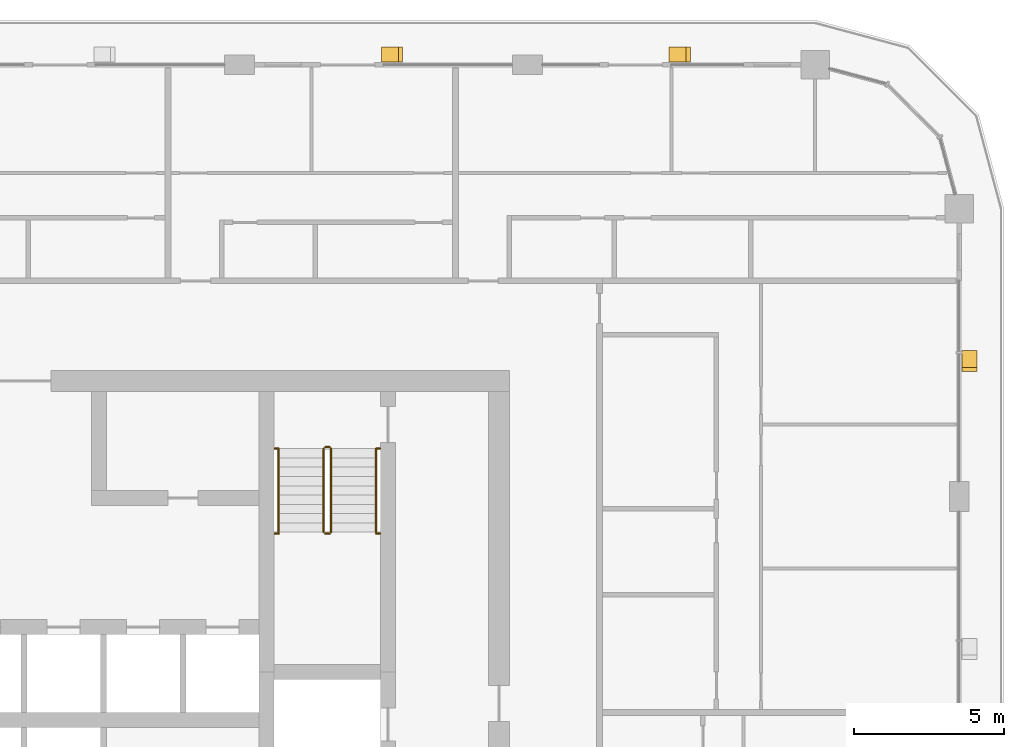
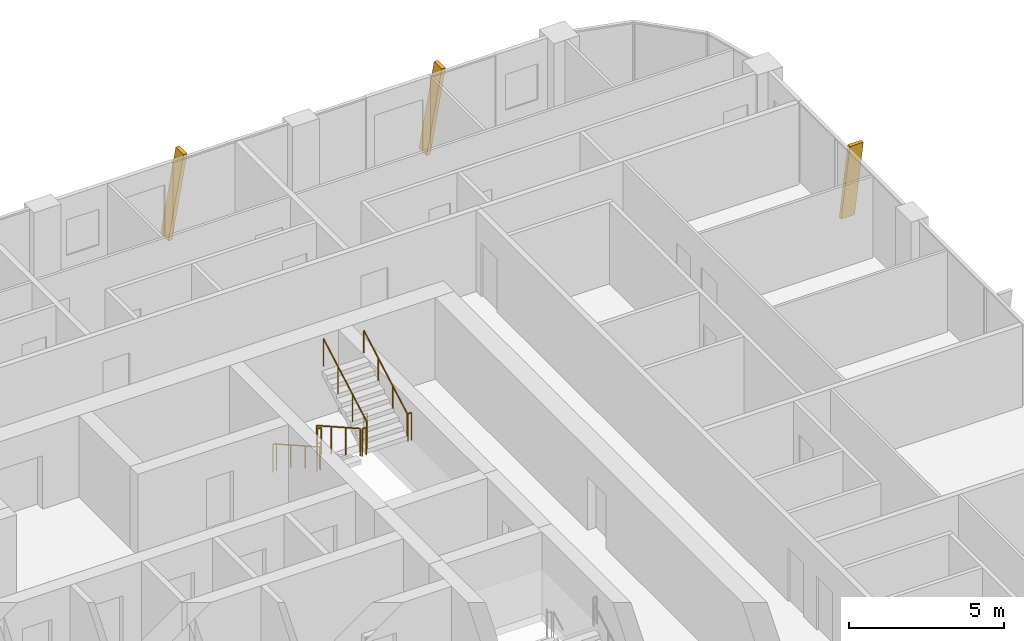
# One storey, part 21 of 21: 10 railings, 3 shading devices.
"""IFC4 building model written with IfcOpenShell, lengths in metres."""

import ifcopenshell
import ifcopenshell.guid

model = None  # the IFC model being written
_history = None  # IfcOwnerHistory: only IFC2X3 demands one
_inside = {}  # id of a spatial element -> (the spatial element, [elements in it])
_under = {}  # id of a project, library or spatial element -> (it, [spatial elements below it])
_declared = {}  # id of a project -> (the project, [libraries it declares])
_typed = {}  # id of a type object -> (the type object, [elements of that type])
_made_of = {}  # id of a material, layer set ... -> (it, [elements and type objects made of it])


def new_model(schema):
    """Start an empty IFC model of exactly this schema.

    Asked for "IFC4X3", IfcOpenShell would pick the latest addendum, in which some entities
    have other attributes; the version numbers below select the first issue.
    IFC2X3 requires an IfcOwnerHistory on every rooted entity: one is made here for all.
    """
    global model, _history
    if schema == "IFC4X3":
        model = ifcopenshell.file(schema_version=(4, 3, 0, 0))
    else:
        model = ifcopenshell.file(schema=schema)
    _inside.clear()
    _under.clear()
    _declared.clear()
    _typed.clear()
    _made_of.clear()
    _history = None
    if model.schema == "IFC2X3":
        org = make("IfcOrganization", Name="unknown")
        user = make(
            "IfcPersonAndOrganization",
            ThePerson=make("IfcPerson", FamilyName="unknown"),
            TheOrganization=org,
        )
        app = make(
            "IfcApplication",
            ApplicationDeveloper=org,
            Version="unknown",
            ApplicationFullName="unknown",
            ApplicationIdentifier="unknown",
        )
        _history = make(
            "IfcOwnerHistory",
            OwningUser=user,
            OwningApplication=app,
            ChangeAction="ADDED",
            CreationDate=0,
        )
    return model


def make(cls, **values):
    """One entity of the class cls with the attributes given. An attribute that is None is left unset."""
    return model.create_entity(
        cls, **{name: value for name, value in values.items() if value is not None}
    )


def rooted(cls, **values):
    """An entity with a GlobalId (a new one), such as an element, a storey or a relation."""
    return make(cls, GlobalId=ifcopenshell.guid.new(), OwnerHistory=_history, **values)


def si_unit(unit_type, name, prefix=None):
    """IfcSIUnit, for example si_unit("LENGTHUNIT", "METRE", prefix="MILLI")."""
    return make("IfcSIUnit", UnitType=unit_type, Prefix=prefix, Name=name)


def assignment(units):
    """IfcUnitAssignment: the units of a project."""
    return None if units is None else make("IfcUnitAssignment", Units=units)


def point(xyz):
    """IfcCartesianPoint."""
    return None if xyz is None else make("IfcCartesianPoint", Coordinates=xyz)


def direction(xyz):
    """IfcDirection."""
    return None if xyz is None else make("IfcDirection", DirectionRatios=xyz)


def frame(location, z_axis=None, x_axis=None):
    """IfcAxis2Placement3D, a coordinate frame: its origin and axes. An axis left out is left unset."""
    return make(
        "IfcAxis2Placement3D",
        Location=point(location),
        Axis=direction(z_axis),
        RefDirection=direction(x_axis),
    )


def frame_2d(location, x_axis=None):
    """IfcAxis2Placement2D, a coordinate frame in the plane: its origin and x axis."""
    return make(
        "IfcAxis2Placement2D", Location=point(location), RefDirection=direction(x_axis)
    )


def origin():
    """The frame at (0, 0, 0) with its axes left unset."""
    return frame((0.0, 0.0, 0.0))


def origin_2d():
    """The frame at (0, 0) in the plane with its x axis left unset."""
    return frame_2d((0.0, 0.0))


def place(relative_to, where):
    """IfcLocalPlacement: puts the frame where relative to a parent placement (None: the world)."""
    return make(
        "IfcLocalPlacement", PlacementRelTo=relative_to, RelativePlacement=where
    )


def context(
    kind, dimensions, precision=None, world=None, true_north=None, identifier=None
):
    """IfcGeometricRepresentationContext, for example the 3D "Model" context."""
    return make(
        "IfcGeometricRepresentationContext",
        ContextIdentifier=identifier,
        ContextType=kind,
        CoordinateSpaceDimension=dimensions,
        Precision=precision,
        WorldCoordinateSystem=world,
        TrueNorth=true_north,
    )


def subcontext(parent, identifier, kind, view, scale=None):
    """IfcGeometricRepresentationSubContext, for example "Body" below "Model"."""
    return make(
        "IfcGeometricRepresentationSubContext",
        ContextIdentifier=identifier,
        ContextType=kind,
        ParentContext=parent,
        TargetScale=scale,
        TargetView=view,
    )


def project(units=None, contexts=None):
    """IfcProject with its units and contexts."""
    return rooted(
        "IfcProject",
        Name="project",
        RepresentationContexts=contexts,
        UnitsInContext=assignment(units),
    )


def spatial(cls, under=None, at=None, **own):
    """A site, building, storey or space (cls), placed at a placement, below another one or the project."""
    s = rooted(cls, ObjectPlacement=at, **own)
    if under is not None:
        _under.setdefault(under.id(), (under, []))[1].append(s)
    return s


def polyline(points):
    """IfcPolyline through the points."""
    return make("IfcPolyline", Points=[point(p) for p in points])


def profile(cls, at=None, kind="AREA", **sizes):
    """A parametric profile (cls). Its sizes go by their IFC names, for example OverallWidth=200.0."""
    return make(cls, ProfileType=kind, Position=at, **sizes)


def circle(**sizes):
    """IfcCircleProfileDef."""
    return profile("IfcCircleProfileDef", **sizes)


def outline(outer, holes=None, kind="AREA"):
    """IfcArbitraryClosedProfileDef: a profile drawn as a closed curve; with holes, ...WithVoids."""
    if holes is None:
        return make("IfcArbitraryClosedProfileDef", ProfileType=kind, OuterCurve=outer)
    return make(
        "IfcArbitraryProfileDefWithVoids",
        ProfileType=kind,
        OuterCurve=outer,
        InnerCurves=holes,
    )


def extrude(swept, where, along, depth):
    """IfcExtrudedAreaSolid: the profile swept, set in the frame where, extruded along a direction by depth."""
    return make(
        "IfcExtrudedAreaSolid",
        SweptArea=swept,
        Position=where,
        ExtrudedDirection=direction(along),
        Depth=depth,
    )


def shape(context_of_items, identifier, shape_type, items):
    """IfcShapeRepresentation: the items that make up one representation, for example the "Body"."""
    return make(
        "IfcShapeRepresentation",
        ContextOfItems=context_of_items,
        RepresentationIdentifier=identifier,
        RepresentationType=shape_type,
        Items=items,
    )


def material(Name=None, Category=None):
    """IfcMaterial."""
    return make("IfcMaterial", Name=Name, Category=Category)


def made_of(thing, what):
    """Note that an element or type object is made of a material, layer set ...; save() writes the relation."""
    if what is not None:
        _made_of.setdefault(what.id(), (what, []))[1].append(thing)
    return thing


def type_object(cls, material=None, **own):
    """A type object (cls), such as IfcWallType, which elements share."""
    return made_of(rooted(cls, **own), material)


def element(
    cls,
    number,
    at=None,
    inside=None,
    cuts=None,
    type_object=None,
    material=None,
    context=None,
    identifier="Body",
    shape_type=None,
    held_by="IfcProductDefinitionShape",
    body=None,
    shapes=None,
    **own,
):
    """One element of the class cls, such as IfcWall. Its Tag is "e" and its number.

    at: its placement. inside: the storey or other place that contains it. cuts: it is an
    opening in that element (IfcRelVoidsElement). A single representation is given by context,
    identifier, shape_type and body (its items); several are given by shapes. held_by: the class
    of the entity that holds the representations. save() writes the other relations.
    """
    e = rooted(cls, Tag="e%d" % number, ObjectPlacement=at, **own)
    if body is not None:
        shapes = [shape(context, identifier, shape_type, body)]
    if shapes is not None:
        e.Representation = make(held_by, Representations=shapes)
    if inside is not None:
        _inside.setdefault(inside.id(), (inside, []))[1].append(e)
    if cuts is not None:
        rooted(
            "IfcRelVoidsElement", RelatingBuildingElement=cuts, RelatedOpeningElement=e
        )
    if type_object is not None:
        _typed.setdefault(type_object.id(), (type_object, []))[1].append(e)
    return made_of(e, material)


def aggregate(whole, parts):
    """IfcRelAggregates: a whole, such as a stair, and the parts it consists of."""
    return rooted("IfcRelAggregates", RelatingObject=whole, RelatedObjects=parts)


def save(model, path):
    """Write the relations noted so far, then the file.

    IfcRelAggregates (storeys below a building ...), IfcRelContainedInSpatialStructure (elements
    in a storey), IfcRelDefinesByType, IfcRelAssociatesMaterial and IfcRelDeclares: one each for
    every whole, place, type object, material and project.
    """
    for whole, parts in _under.values():
        aggregate(whole, parts)
    for where, things in _inside.values():
        rooted(
            "IfcRelContainedInSpatialStructure",
            RelatedElements=things,
            RelatingStructure=where,
        )
    for kind, things in _typed.values():
        rooted("IfcRelDefinesByType", RelatedObjects=things, RelatingType=kind)
    for what, things in _made_of.values():
        rooted("IfcRelAssociatesMaterial", RelatedObjects=things, RelatingMaterial=what)
    for by, libraries in _declared.values():
        rooted("IfcRelDeclares", RelatingContext=by, RelatedDefinitions=libraries)
    model.write(path)


model = new_model("IFC4")

# Units and contexts
model_context = context("Model", 3, precision=1e-05, world=origin(), true_north=direction((0.0, 1.0)))
body_context = subcontext(model_context, "Body", "Model", "MODEL_VIEW")
ifc_project = project(units=[si_unit("LENGTHUNIT", "METRE"), si_unit("AREAUNIT", "SQUARE_METRE"), si_unit("VOLUMEUNIT", "CUBIC_METRE"), si_unit("PLANEANGLEUNIT", "RADIAN"), si_unit("MASSUNIT", "GRAM", prefix="KILO")], contexts=[model_context])

# Site, building, storey
site_placement = place(None, origin())
site = spatial("IfcSite", under=ifc_project, at=site_placement, CompositionType="ELEMENT")
building_placement = place(site_placement, origin())
building = spatial("IfcBuilding", under=site, at=building_placement, Name="Madar Terraces", CompositionType="ELEMENT")
storey_placement = place(building_placement, frame((0.0, 0.0, 196.39990234375)))
storey = spatial("IfcBuildingStorey", under=building, at=storey_placement, Name="L51", CompositionType="ELEMENT", Elevation=196.39990234375)

# Shading devices
ifc_material_1 = material(Name="Aluminium, black anodised", Category="aluminium")
shading_device_type = type_object("IfcShadingDeviceType", Name="Facade fin blade 140 x 500", PredefinedType="USERDEFINED", material=ifc_material_1)
shading_device_placement = place(storey_placement, frame((62.75, 38.330078125, 0.0), z_axis=(0.0, 0.0, 1.0), x_axis=(0.0, 1.0, 0.0)))
element("IfcShadingDevice", 1, at=shading_device_placement, inside=storey, type_object=shading_device_type, Name="FIN L51 E4", ObjectType="FIN", PredefinedType="USERDEFINED", context=body_context, shape_type="SweptSolid", body=[
    extrude(outline(polyline([(0.0, 0.0), (0.139892578125, 0.0), (-0.42431640625, 3.2001953125), (-0.564208984375, 3.2001953125), (0.0, 0.0)])), frame((0.0, 0.25, 0.0), z_axis=(0.0, -1.0, 0.0), x_axis=(1.0, 0.0, 0.0)), (0.0, 0.0, 1.0), 0.5),
])
for number, where, z_axis, x_axis, name in (
    (2, (52.8701171875, 48.35009765625, 0.0), (0.0, 0.0, 1.0), (-1.0, 0.0, 0.0), "FIN L51 N1"),
    (3, (43.27001953125, 48.35009765625, 0.0), (0.0, 0.0, 1.0), (-1.0, 0.0, 0.0), "FIN L51 N2"),
):
    element("IfcShadingDevice", number, at=place(storey_placement, frame(where, z_axis=z_axis, x_axis=x_axis)), inside=storey, type_object=shading_device_type, Name=name, ObjectType="FIN", PredefinedType="USERDEFINED", context=body_context, shape_type="SweptSolid", body=[
        extrude(outline(polyline([(0.0, 0.0), (0.14013671875, 0.0), (-0.42431640625, 3.2001953125), (-0.564208984375, 3.2001953125), (0.0, 0.0)])), frame((0.0, 0.25, 0.0), z_axis=(0.0, -1.0, 0.0), x_axis=(1.0, 0.0, 0.0)), (0.0, 0.0, 1.0), 0.5),
    ])

# Railings
ifc_material_2 = material(Name="Stainless steel railing", Category="steel")
railing_type_1 = type_object("IfcRailingType", Name="Stair guard 1100", PredefinedType="GUARDRAIL", material=ifc_material_2)
railing_1_placement = place(storey_placement, frame((41.199951171875, 35.199951171875, 0.175048828125)))
element("IfcRailing", 4, at=railing_1_placement, inside=storey, type_object=railing_type_1, Name="L51 ST2 stair guard 1", PredefinedType="GUARDRAIL", context=body_context, shape_type="SweptSolid", body=[
    extrude(circle(Radius=0.02392578125, at=origin_2d()), frame((0.0, 0.0, 1.076171875), z_axis=(0.0, -0.870833779661, 0.491577591232), x_axis=(1.0, 0.0, 0.0)), (0.0, 0.0, 1.0), 3.203857421875),
    extrude(circle(Radius=0.02099609375, at=origin_2d()), origin(), (0.0, 0.0, 1.0), 1.052001953125),
    extrude(circle(Radius=0.02099609375, at=origin_2d()), frame((0.0, -0.929931640625, 0.52490234375)), (0.0, 0.0, 1.0), 1.052001953125),
    extrude(circle(Radius=0.02099609375, at=origin_2d()), frame((0.0, -1.860107421875, 1.050048828125)), (0.0, 0.0, 1.0), 1.052001953125),
    extrude(circle(Radius=0.02099609375, at=origin_2d()), frame((0.0, -2.7900390625, 1.574951171875)), (0.0, 0.0, 1.0), 1.052001953125),
])
railing_2_placement = place(storey_placement, frame((41.25, 32.360107421875, 1.75)))
element("IfcRailing", 5, at=railing_2_placement, inside=storey, type_object=railing_type_1, Name="L51 ST2 stair guard 2", PredefinedType="GUARDRAIL", context=body_context, shape_type="SweptSolid", body=[
    extrude(circle(Radius=0.02392578125, at=origin_2d()), frame((0.0, 0.0, 1.076171875), z_axis=(1.0, 0.0, 0.0), x_axis=(0.0, 1.0, 0.0)), (0.0, 0.0, 1.0), 0.14990234375),
    extrude(circle(Radius=0.02099609375, at=origin_2d()), origin(), (0.0, 0.0, 1.0), 1.052001953125),
    extrude(circle(Radius=0.02099609375, at=origin_2d()), frame((0.14990234375, 0.0, 0.0)), (0.0, 0.0, 1.0), 1.052001953125),
])
railing_3_placement = place(storey_placement, frame((41.449951171875, 32.409912109375, 1.925048828125)))
element("IfcRailing", 6, at=railing_3_placement, inside=storey, type_object=railing_type_1, Name="L51 ST2 stair guard 3", PredefinedType="GUARDRAIL", context=body_context, shape_type="SweptSolid", body=[
    extrude(circle(Radius=0.02392578125, at=origin_2d()), frame((0.0, 0.0, 1.076171875), z_axis=(0.0, 0.870833779661, 0.491577591232), x_axis=(-1.0, 0.0, 0.0)), (0.0, 0.0, 1.0), 3.203857421875),
    extrude(circle(Radius=0.02099609375, at=origin_2d()), origin(), (0.0, 0.0, 1.0), 1.052001953125),
    extrude(circle(Radius=0.02099609375, at=origin_2d()), frame((0.0, 0.929931640625, 0.52490234375)), (0.0, 0.0, 1.0), 1.052001953125),
    extrude(circle(Radius=0.02099609375, at=origin_2d()), frame((0.0, 1.860107421875, 1.050048828125)), (0.0, 0.0, 1.0), 1.052001953125),
    extrude(circle(Radius=0.02099609375, at=origin_2d()), frame((0.0, 2.7900390625, 1.574951171875)), (0.0, 0.0, 1.0), 1.052001953125),
])
railing_4_placement = place(storey_placement, frame((41.25, 35.25, 0.0)))
element("IfcRailing", 7, at=railing_4_placement, inside=storey, type_object=railing_type_1, Name="L51 ST2 stair guard 4", PredefinedType="GUARDRAIL", context=body_context, shape_type="SweptSolid", body=[
    extrude(circle(Radius=0.02392578125, at=origin_2d()), frame((0.0, 0.0, 1.076171875), z_axis=(1.0, 0.0, 0.0), x_axis=(0.0, 1.0, 0.0)), (0.0, 0.0, 1.0), 0.14990234375),
    extrude(circle(Radius=0.02099609375, at=origin_2d()), origin(), (0.0, 0.0, 1.0), 1.052001953125),
    extrude(circle(Radius=0.02099609375, at=origin_2d()), frame((0.14990234375, 0.0, 0.0)), (0.0, 0.0, 1.0), 1.052001953125),
])
railing_5_placement = place(storey_placement, frame((39.570068359375, 32.360107421875, 1.75)))
element("IfcRailing", 8, at=railing_5_placement, inside=storey, type_object=railing_type_1, Name="L51 stair guard seat 1", PredefinedType="GUARDRAIL", context=body_context, shape_type="SweptSolid", body=[
    extrude(circle(Radius=0.02392578125, at=origin_2d()), frame((0.0, 0.0, 1.076171875), z_axis=(1.0, 0.0, 0.0), x_axis=(0.0, 1.0, 0.0)), (0.0, 0.0, 1.0), 0.1298828125),
    extrude(circle(Radius=0.02099609375, at=origin_2d()), origin(), (0.0, 0.0, 1.0), 1.052001953125),
    extrude(circle(Radius=0.02099609375, at=origin_2d()), frame((0.1298828125, 0.0, 0.0)), (0.0, 0.0, 1.0), 1.052001953125),
])
railing_6_placement = place(storey_placement, frame((42.949951171875, 32.360107421875, 1.75)))
element("IfcRailing", 9, at=railing_6_placement, inside=storey, type_object=railing_type_1, Name="L51 stair guard seat 2", PredefinedType="GUARDRAIL", context=body_context, shape_type="SweptSolid", body=[
    extrude(circle(Radius=0.02392578125, at=origin_2d()), frame((0.0, 0.0, 1.076171875), z_axis=(1.0, 0.0, 0.0), x_axis=(0.0, 1.0, 0.0)), (0.0, 0.0, 1.0), 0.130126953125),
    extrude(circle(Radius=0.02099609375, at=origin_2d()), origin(), (0.0, 0.0, 1.0), 1.052001953125),
    extrude(circle(Radius=0.02099609375, at=origin_2d()), frame((0.130126953125, 0.0, 0.0)), (0.0, 0.0, 1.0), 1.052001953125),
])
railing_7_placement = place(storey_placement, frame((39.570068359375, 35.199951171875, 0.0)))
element("IfcRailing", 10, at=railing_7_placement, inside=storey, type_object=railing_type_1, Name="L51 stair guard floor 1", PredefinedType="GUARDRAIL", context=body_context, shape_type="SweptSolid", body=[
    extrude(circle(Radius=0.02392578125, at=origin_2d()), frame((0.0, 0.0, 1.076171875), z_axis=(1.0, 0.0, 0.0), x_axis=(0.0, 1.0, 0.0)), (0.0, 0.0, 1.0), 0.1298828125),
    extrude(circle(Radius=0.02099609375, at=origin_2d()), origin(), (0.0, 0.0, 1.0), 1.052001953125),
    extrude(circle(Radius=0.02099609375, at=origin_2d()), frame((0.1298828125, 0.0, 0.0)), (0.0, 0.0, 1.0), 1.052001953125),
])
railing_8_placement = place(storey_placement, frame((42.949951171875, 35.199951171875, 0.0)))
element("IfcRailing", 11, at=railing_8_placement, inside=storey, type_object=railing_type_1, Name="L51 stair guard floor 2", PredefinedType="GUARDRAIL", context=body_context, shape_type="SweptSolid", body=[
    extrude(circle(Radius=0.02392578125, at=origin_2d()), frame((0.0, 0.0, 1.076171875), z_axis=(1.0, 0.0, 0.0), x_axis=(0.0, 1.0, 0.0)), (0.0, 0.0, 1.0), 0.130126953125),
    extrude(circle(Radius=0.02099609375, at=origin_2d()), origin(), (0.0, 0.0, 1.0), 1.052001953125),
    extrude(circle(Radius=0.02099609375, at=origin_2d()), frame((0.130126953125, 0.0, 0.0)), (0.0, 0.0, 1.0), 1.052001953125),
])
ifc_material_3 = material(Name="Stainless steel railing", Category="steel")
railing_type_2 = type_object("IfcRailingType", Name="Stair handrail 900", PredefinedType="HANDRAIL", material=ifc_material_3)
railing_9_placement = place(storey_placement, frame((39.699951171875, 35.199951171875, 0.175048828125)))
element("IfcRailing", 12, at=railing_9_placement, inside=storey, type_object=railing_type_2, Name="L51 ST2 stair handrail 1", PredefinedType="HANDRAIL", context=body_context, shape_type="SweptSolid", body=[
    extrude(circle(Radius=0.02392578125, at=origin_2d()), frame((0.0, 0.0, 0.8759765625), z_axis=(0.0, -0.870833779661, 0.491577591232), x_axis=(1.0, 0.0, 0.0)), (0.0, 0.0, 1.0), 3.203857421875),
    extrude(circle(Radius=0.02099609375, at=origin_2d()), origin(), (0.0, 0.0, 1.0), 0.851806640625),
    extrude(circle(Radius=0.02099609375, at=origin_2d()), frame((0.0, -0.929931640625, 0.52490234375)), (0.0, 0.0, 1.0), 0.851806640625),
    extrude(circle(Radius=0.02099609375, at=origin_2d()), frame((0.0, -1.860107421875, 1.050048828125)), (0.0, 0.0, 1.0), 0.851806640625),
    extrude(circle(Radius=0.02099609375, at=origin_2d()), frame((0.0, -2.7900390625, 1.574951171875)), (0.0, 0.0, 1.0), 0.851806640625),
])
railing_10_placement = place(storey_placement, frame((42.949951171875, 32.409912109375, 1.925048828125)))
element("IfcRailing", 13, at=railing_10_placement, inside=storey, type_object=railing_type_2, Name="L51 ST2 stair handrail 2", PredefinedType="HANDRAIL", context=body_context, shape_type="SweptSolid", body=[
    extrude(circle(Radius=0.02392578125, at=origin_2d()), frame((0.0, 0.0, 0.8759765625), z_axis=(0.0, 0.870833779661, 0.491577591232), x_axis=(-1.0, 0.0, 0.0)), (0.0, 0.0, 1.0), 3.203857421875),
    extrude(circle(Radius=0.02099609375, at=origin_2d()), origin(), (0.0, 0.0, 1.0), 0.851806640625),
    extrude(circle(Radius=0.02099609375, at=origin_2d()), frame((0.0, 0.929931640625, 0.52490234375)), (0.0, 0.0, 1.0), 0.851806640625),
    extrude(circle(Radius=0.02099609375, at=origin_2d()), frame((0.0, 1.860107421875, 1.050048828125)), (0.0, 0.0, 1.0), 0.851806640625),
    extrude(circle(Radius=0.02099609375, at=origin_2d()), frame((0.0, 2.7900390625, 1.574951171875)), (0.0, 0.0, 1.0), 0.851806640625),
])

save(model, "model.ifc")
